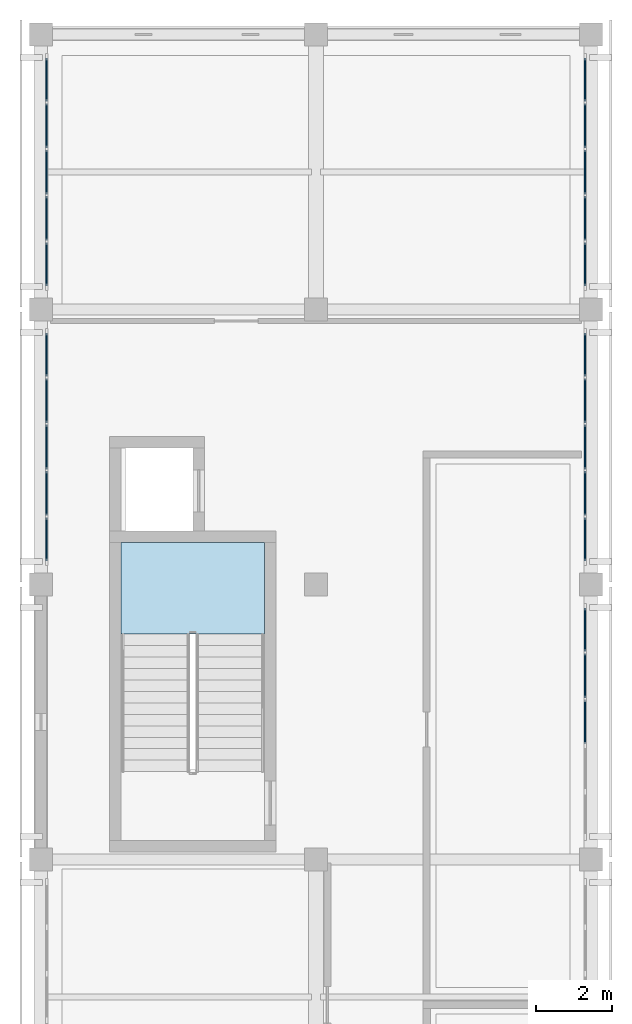
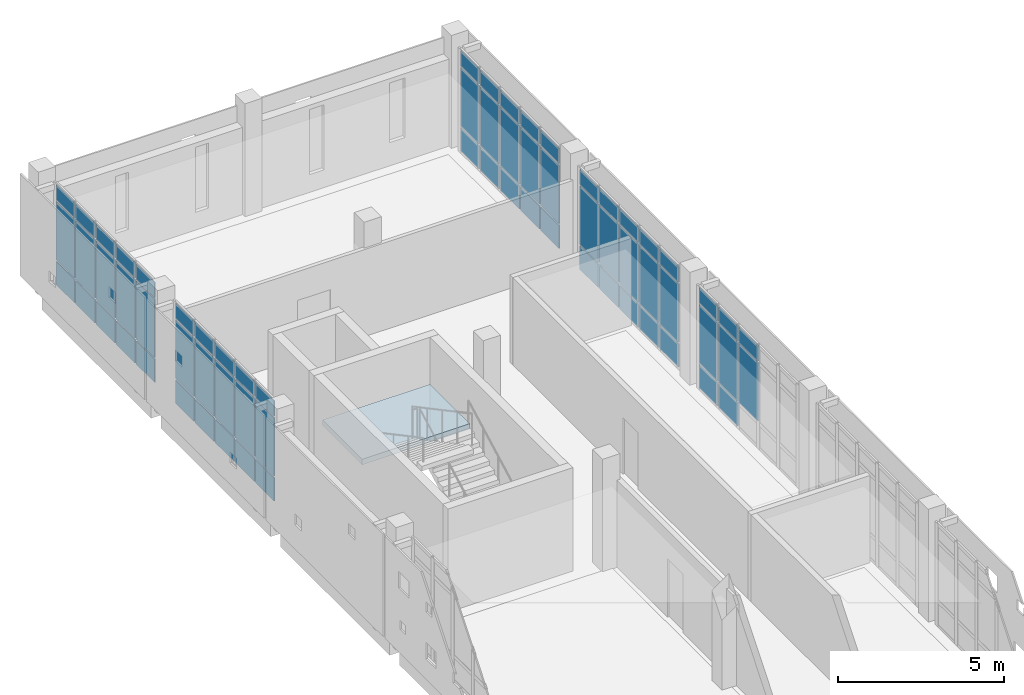
# One storey, part 14 of 21: 68 plates, 1 slab, 6 elements without a shape of their own.
"""IFC4 building model written with IfcOpenShell, lengths in metres."""

from ifc_helpers import new_model, si_unit, direction, frame, origin, origin_2d, place, context, subcontext, project, spatial, polyline, rectangle, outline, extrude, material, layer, layer_set, type_object, element, aggregate, save


model = new_model("IFC4")

# Units and contexts
model_context = context("Model", 3, precision=1e-05, world=origin(), true_north=direction((0.0, 1.0)))
body_context = subcontext(model_context, "Body", "Model", "MODEL_VIEW")
ifc_project = project(units=[si_unit("LENGTHUNIT", "METRE"), si_unit("AREAUNIT", "SQUARE_METRE"), si_unit("VOLUMEUNIT", "CUBIC_METRE"), si_unit("PLANEANGLEUNIT", "RADIAN"), si_unit("MASSUNIT", "GRAM", prefix="KILO")], contexts=[model_context])

# Site, building, storey
site_placement = place(None, origin())
site = spatial("IfcSite", under=ifc_project, at=site_placement, CompositionType="ELEMENT")
building_placement = place(site_placement, origin())
building = spatial("IfcBuilding", under=site, at=building_placement, Name="Valkovuoma Quantum and Materials Research Institute", CompositionType="ELEMENT")
storey_placement = place(building_placement, frame((0.0, 0.0, 33.919921875)))
storey = spatial("IfcBuildingStorey", under=building, at=storey_placement, Name="L08", CompositionType="ELEMENT", Elevation=33.919921875)

# Curtain wall, plates
ifc_material_1 = material(Name="Thermally broken aluminium and triple low-E glazing", Category="aluminium")
ifc_layer_1 = layer(ifc_material_1, 0.219970703125)
ifc_layer_set_1 = layer_set([ifc_layer_1], Name="Thermally broken aluminium and triple low-E glazing")
curtain_wall_type = type_object("IfcCurtainWallType", Name="CW-CW-01", PredefinedType="NOTDEFINED", material=ifc_layer_set_1)
curtain_wall_1_placement = place(storey_placement, origin())
curtain_wall_1 = element("IfcCurtainWall", 1, at=curtain_wall_1_placement, inside=storey, type_object=curtain_wall_type, Name="L08 curtain wall 123", PredefinedType="NOTDEFINED")
ifc_material_2 = material(Name="Triple low-E argon insulating glass", Category="glass")
ifc_layer_2 = layer(ifc_material_2, 0.035888671875)
ifc_layer_set_2 = layer_set([ifc_layer_2], Name="Triple low-E argon insulating glass")
plate_type_1 = type_object("IfcPlateType", Name="CWPanel-CWP-01", PredefinedType="CURTAIN_PANEL", material=ifc_layer_set_2)
plate_1_placement = place(storey_placement, frame((0.14990234375, 80.3818359375, 0.06494140625), z_axis=(0.0, 0.0, 1.0), x_axis=(0.0, 1.0, 0.0)))
plate_1 = element("IfcPlate", 2, at=plate_1_placement, type_object=plate_type_1, Name="CW-01 panel 1.1", PredefinedType="CURTAIN_PANEL", context=body_context, shape_type="SweptSolid", body=[
    extrude(rectangle(XDim=1.11962890625, YDim=0.035888671875, at=origin_2d()), origin(), (0.0, 0.0, 1.0), 0.8525390625),
])
plate_2_placement = place(storey_placement, frame((0.14990234375, 80.3818359375, 0.982666015625), z_axis=(0.0, 0.0, 1.0), x_axis=(0.0, 1.0, 0.0)))
plate_2 = element("IfcPlate", 3, at=plate_2_placement, type_object=plate_type_1, Name="CW-01 panel 1.2", PredefinedType="CURTAIN_PANEL", context=body_context, shape_type="SweptSolid", body=[
    extrude(rectangle(XDim=1.11962890625, YDim=0.035888671875, at=origin_2d()), origin(), (0.0, 0.0, 1.0), 2.14501953125),
])
plate_3_placement = place(storey_placement, frame((0.14990234375, 80.3818359375, 3.1923828125), z_axis=(0.0, 0.0, 1.0), x_axis=(0.0, 1.0, 0.0)))
plate_3 = element("IfcPlate", 4, at=plate_3_placement, type_object=plate_type_1, Name="CW-01 panel 1.3", PredefinedType="CURTAIN_PANEL", context=body_context, shape_type="SweptSolid", body=[
    extrude(rectangle(XDim=1.11962890625, YDim=0.035888671875, at=origin_2d()), origin(), (0.0, 0.0, 1.0), 0.552490234375),
])
plate_4_placement = place(storey_placement, frame((0.14990234375, 81.582763671875, 0.06494140625), z_axis=(0.0, 0.0, 1.0), x_axis=(0.0, 1.0, 0.0)))
plate_4 = element("IfcPlate", 5, at=plate_4_placement, type_object=plate_type_1, Name="CW-01 panel 2.1", PredefinedType="CURTAIN_PANEL", context=body_context, shape_type="SweptSolid", body=[
    extrude(rectangle(XDim=1.152099609375, YDim=0.035888671875, at=origin_2d()), origin(), (0.0, 0.0, 1.0), 0.8525390625),
])
plate_5_placement = place(storey_placement, frame((0.14990234375, 81.582763671875, 0.982666015625), z_axis=(0.0, 0.0, 1.0), x_axis=(0.0, 1.0, 0.0)))
plate_5 = element("IfcPlate", 6, at=plate_5_placement, type_object=plate_type_1, Name="CW-01 panel 2.2", PredefinedType="CURTAIN_PANEL", context=body_context, shape_type="SweptSolid", body=[
    extrude(rectangle(XDim=1.152099609375, YDim=0.035888671875, at=origin_2d()), origin(), (0.0, 0.0, 1.0), 2.14501953125),
])
plate_6_placement = place(storey_placement, frame((0.14990234375, 81.582763671875, 3.1923828125), z_axis=(0.0, 0.0, 1.0), x_axis=(0.0, 1.0, 0.0)))
plate_6 = element("IfcPlate", 7, at=plate_6_placement, type_object=plate_type_1, Name="CW-01 panel 2.3", PredefinedType="CURTAIN_PANEL", context=body_context, shape_type="SweptSolid", body=[
    extrude(rectangle(XDim=1.152099609375, YDim=0.035888671875, at=origin_2d()), origin(), (0.0, 0.0, 1.0), 0.552490234375),
])
plate_7_placement = place(storey_placement, frame((0.14990234375, 82.800048828125, 0.06494140625), z_axis=(0.0, 0.0, 1.0), x_axis=(0.0, 1.0, 0.0)))
plate_7 = element("IfcPlate", 8, at=plate_7_placement, type_object=plate_type_1, Name="CW-01 panel 3.1", PredefinedType="CURTAIN_PANEL", context=body_context, shape_type="SweptSolid", body=[
    extrude(rectangle(XDim=1.152099609375, YDim=0.035888671875, at=origin_2d()), origin(), (0.0, 0.0, 1.0), 0.8525390625),
])
plate_8_placement = place(storey_placement, frame((0.14990234375, 82.800048828125, 0.982666015625), z_axis=(0.0, 0.0, 1.0), x_axis=(0.0, 1.0, 0.0)))
plate_8 = element("IfcPlate", 9, at=plate_8_placement, type_object=plate_type_1, Name="CW-01 panel 3.2", PredefinedType="CURTAIN_PANEL", context=body_context, shape_type="SweptSolid", body=[
    extrude(rectangle(XDim=1.152099609375, YDim=0.035888671875, at=origin_2d()), origin(), (0.0, 0.0, 1.0), 2.14501953125),
])
plate_9_placement = place(storey_placement, frame((0.14990234375, 82.800048828125, 3.1923828125), z_axis=(0.0, 0.0, 1.0), x_axis=(0.0, 1.0, 0.0)))
plate_9 = element("IfcPlate", 10, at=plate_9_placement, type_object=plate_type_1, Name="CW-01 panel 3.3", PredefinedType="CURTAIN_PANEL", context=body_context, shape_type="SweptSolid", body=[
    extrude(rectangle(XDim=1.152099609375, YDim=0.035888671875, at=origin_2d()), origin(), (0.0, 0.0, 1.0), 0.552490234375),
])
plate_10_placement = place(storey_placement, frame((0.14990234375, 84.01708984375, 0.06494140625), z_axis=(0.0, 0.0, 1.0), x_axis=(0.0, 1.0, 0.0)))
plate_10 = element("IfcPlate", 11, at=plate_10_placement, type_object=plate_type_1, Name="CW-01 panel 4.1", PredefinedType="CURTAIN_PANEL", context=body_context, shape_type="SweptSolid", body=[
    extrude(rectangle(XDim=1.152099609375, YDim=0.035888671875, at=origin_2d()), origin(), (0.0, 0.0, 1.0), 0.8525390625),
])
plate_11_placement = place(storey_placement, frame((0.14990234375, 84.01708984375, 0.982666015625), z_axis=(0.0, 0.0, 1.0), x_axis=(0.0, 1.0, 0.0)))
plate_11 = element("IfcPlate", 12, at=plate_11_placement, type_object=plate_type_1, Name="CW-01 panel 4.2", PredefinedType="CURTAIN_PANEL", context=body_context, shape_type="SweptSolid", body=[
    extrude(rectangle(XDim=1.152099609375, YDim=0.035888671875, at=origin_2d()), origin(), (0.0, 0.0, 1.0), 2.14501953125),
])
plate_12_placement = place(storey_placement, frame((0.14990234375, 84.01708984375, 3.1923828125), z_axis=(0.0, 0.0, 1.0), x_axis=(0.0, 1.0, 0.0)))
plate_12 = element("IfcPlate", 13, at=plate_12_placement, type_object=plate_type_1, Name="CW-01 panel 4.3", PredefinedType="CURTAIN_PANEL", context=body_context, shape_type="SweptSolid", body=[
    extrude(rectangle(XDim=1.152099609375, YDim=0.035888671875, at=origin_2d()), origin(), (0.0, 0.0, 1.0), 0.552490234375),
])
plate_13_placement = place(storey_placement, frame((0.14990234375, 85.218017578125, 0.06494140625), z_axis=(0.0, 0.0, 1.0), x_axis=(0.0, 1.0, 0.0)))
plate_13 = element("IfcPlate", 14, at=plate_13_placement, type_object=plate_type_1, Name="CW-01 panel 5.1", PredefinedType="CURTAIN_PANEL", context=body_context, shape_type="SweptSolid", body=[
    extrude(rectangle(XDim=1.11962890625, YDim=0.035888671875, at=origin_2d()), origin(), (0.0, 0.0, 1.0), 0.8525390625),
])
plate_14_placement = place(storey_placement, frame((0.14990234375, 85.218017578125, 0.982666015625), z_axis=(0.0, 0.0, 1.0), x_axis=(0.0, 1.0, 0.0)))
plate_14 = element("IfcPlate", 15, at=plate_14_placement, type_object=plate_type_1, Name="CW-01 panel 5.2", PredefinedType="CURTAIN_PANEL", context=body_context, shape_type="SweptSolid", body=[
    extrude(rectangle(XDim=1.11962890625, YDim=0.035888671875, at=origin_2d()), origin(), (0.0, 0.0, 1.0), 2.14501953125),
])
plate_15_placement = place(storey_placement, frame((0.14990234375, 85.218017578125, 3.1923828125), z_axis=(0.0, 0.0, 1.0), x_axis=(0.0, 1.0, 0.0)))
plate_15 = element("IfcPlate", 16, at=plate_15_placement, type_object=plate_type_1, Name="CW-01 panel 5.3", PredefinedType="CURTAIN_PANEL", context=body_context, shape_type="SweptSolid", body=[
    extrude(rectangle(XDim=1.11962890625, YDim=0.035888671875, at=origin_2d()), origin(), (0.0, 0.0, 1.0), 0.552490234375),
])
aggregate(curtain_wall_1, [plate_1, plate_2, plate_3, plate_4, plate_5, plate_6, plate_7, plate_8, plate_9, plate_10, plate_11, plate_12, plate_13, plate_14, plate_15])

curtain_wall_2_placement = place(storey_placement, origin())
curtain_wall_2 = element("IfcCurtainWall", 17, at=curtain_wall_2_placement, inside=storey, type_object=curtain_wall_type, Name="L08 curtain wall 125", PredefinedType="NOTDEFINED")
plate_16_placement = place(storey_placement, frame((0.14990234375, 87.58203125, 0.06494140625), z_axis=(0.0, 0.0, 1.0), x_axis=(0.0, 1.0, 0.0)))
plate_16 = element("IfcPlate", 18, at=plate_16_placement, type_object=plate_type_1, Name="CW-01 panel 1.1", PredefinedType="CURTAIN_PANEL", context=body_context, shape_type="SweptSolid", body=[
    extrude(rectangle(XDim=1.11962890625, YDim=0.035888671875, at=origin_2d()), origin(), (0.0, 0.0, 1.0), 0.8525390625),
])
plate_17_placement = place(storey_placement, frame((0.14990234375, 87.58203125, 0.982666015625), z_axis=(0.0, 0.0, 1.0), x_axis=(0.0, 1.0, 0.0)))
plate_17 = element("IfcPlate", 19, at=plate_17_placement, type_object=plate_type_1, Name="CW-01 panel 1.2", PredefinedType="CURTAIN_PANEL", context=body_context, shape_type="SweptSolid", body=[
    extrude(rectangle(XDim=1.11962890625, YDim=0.035888671875, at=origin_2d()), origin(), (0.0, 0.0, 1.0), 2.14501953125),
])
plate_18_placement = place(storey_placement, frame((0.14990234375, 87.58203125, 3.1923828125), z_axis=(0.0, 0.0, 1.0), x_axis=(0.0, 1.0, 0.0)))
plate_18 = element("IfcPlate", 20, at=plate_18_placement, type_object=plate_type_1, Name="CW-01 panel 1.3", PredefinedType="CURTAIN_PANEL", context=body_context, shape_type="SweptSolid", body=[
    extrude(rectangle(XDim=1.11962890625, YDim=0.035888671875, at=origin_2d()), origin(), (0.0, 0.0, 1.0), 0.552490234375),
])
plate_19_placement = place(storey_placement, frame((0.14990234375, 88.782958984375, 0.06494140625), z_axis=(0.0, 0.0, 1.0), x_axis=(0.0, 1.0, 0.0)))
plate_19 = element("IfcPlate", 21, at=plate_19_placement, type_object=plate_type_1, Name="CW-01 panel 2.1", PredefinedType="CURTAIN_PANEL", context=body_context, shape_type="SweptSolid", body=[
    extrude(rectangle(XDim=1.152099609375, YDim=0.035888671875, at=origin_2d()), origin(), (0.0, 0.0, 1.0), 0.8525390625),
])
plate_20_placement = place(storey_placement, frame((0.14990234375, 88.782958984375, 0.982666015625), z_axis=(0.0, 0.0, 1.0), x_axis=(0.0, 1.0, 0.0)))
plate_20 = element("IfcPlate", 22, at=plate_20_placement, type_object=plate_type_1, Name="CW-01 panel 2.2", PredefinedType="CURTAIN_PANEL", context=body_context, shape_type="SweptSolid", body=[
    extrude(rectangle(XDim=1.152099609375, YDim=0.035888671875, at=origin_2d()), origin(), (0.0, 0.0, 1.0), 2.14501953125),
])
plate_21_placement = place(storey_placement, frame((0.14990234375, 88.782958984375, 3.1923828125), z_axis=(0.0, 0.0, 1.0), x_axis=(0.0, 1.0, 0.0)))
plate_21 = element("IfcPlate", 23, at=plate_21_placement, type_object=plate_type_1, Name="CW-01 panel 2.3", PredefinedType="CURTAIN_PANEL", context=body_context, shape_type="SweptSolid", body=[
    extrude(rectangle(XDim=1.152099609375, YDim=0.035888671875, at=origin_2d()), origin(), (0.0, 0.0, 1.0), 0.552490234375),
])
plate_22_placement = place(storey_placement, frame((0.14990234375, 90.0, 0.06494140625), z_axis=(0.0, 0.0, 1.0), x_axis=(0.0, 1.0, 0.0)))
plate_22 = element("IfcPlate", 24, at=plate_22_placement, type_object=plate_type_1, Name="CW-01 panel 3.1", PredefinedType="CURTAIN_PANEL", context=body_context, shape_type="SweptSolid", body=[
    extrude(rectangle(XDim=1.152099609375, YDim=0.035888671875, at=origin_2d()), origin(), (0.0, 0.0, 1.0), 0.8525390625),
])
plate_23_placement = place(storey_placement, frame((0.14990234375, 90.0, 0.982666015625), z_axis=(0.0, 0.0, 1.0), x_axis=(0.0, 1.0, 0.0)))
plate_23 = element("IfcPlate", 25, at=plate_23_placement, type_object=plate_type_1, Name="CW-01 panel 3.2", PredefinedType="CURTAIN_PANEL", context=body_context, shape_type="SweptSolid", body=[
    extrude(rectangle(XDim=1.152099609375, YDim=0.035888671875, at=origin_2d()), origin(), (0.0, 0.0, 1.0), 2.14501953125),
])
plate_24_placement = place(storey_placement, frame((0.14990234375, 90.0, 3.1923828125), z_axis=(0.0, 0.0, 1.0), x_axis=(0.0, 1.0, 0.0)))
plate_24 = element("IfcPlate", 26, at=plate_24_placement, type_object=plate_type_1, Name="CW-01 panel 3.3", PredefinedType="CURTAIN_PANEL", context=body_context, shape_type="SweptSolid", body=[
    extrude(rectangle(XDim=1.152099609375, YDim=0.035888671875, at=origin_2d()), origin(), (0.0, 0.0, 1.0), 0.552490234375),
])
plate_25_placement = place(storey_placement, frame((0.14990234375, 91.217041015625, 0.06494140625), z_axis=(0.0, 0.0, 1.0), x_axis=(0.0, 1.0, 0.0)))
plate_25 = element("IfcPlate", 27, at=plate_25_placement, type_object=plate_type_1, Name="CW-01 panel 4.1", PredefinedType="CURTAIN_PANEL", context=body_context, shape_type="SweptSolid", body=[
    extrude(rectangle(XDim=1.152099609375, YDim=0.035888671875, at=origin_2d()), origin(), (0.0, 0.0, 1.0), 0.8525390625),
])
plate_26_placement = place(storey_placement, frame((0.14990234375, 91.217041015625, 0.982666015625), z_axis=(0.0, 0.0, 1.0), x_axis=(0.0, 1.0, 0.0)))
plate_26 = element("IfcPlate", 28, at=plate_26_placement, type_object=plate_type_1, Name="CW-01 panel 4.2", PredefinedType="CURTAIN_PANEL", context=body_context, shape_type="SweptSolid", body=[
    extrude(rectangle(XDim=1.152099609375, YDim=0.035888671875, at=origin_2d()), origin(), (0.0, 0.0, 1.0), 2.14501953125),
])
plate_27_placement = place(storey_placement, frame((0.14990234375, 91.217041015625, 3.1923828125), z_axis=(0.0, 0.0, 1.0), x_axis=(0.0, 1.0, 0.0)))
plate_27 = element("IfcPlate", 29, at=plate_27_placement, type_object=plate_type_1, Name="CW-01 panel 4.3", PredefinedType="CURTAIN_PANEL", context=body_context, shape_type="SweptSolid", body=[
    extrude(rectangle(XDim=1.152099609375, YDim=0.035888671875, at=origin_2d()), origin(), (0.0, 0.0, 1.0), 0.552490234375),
])
plate_28_placement = place(storey_placement, frame((0.14990234375, 92.41796875, 0.06494140625), z_axis=(0.0, 0.0, 1.0), x_axis=(0.0, 1.0, 0.0)))
plate_28 = element("IfcPlate", 30, at=plate_28_placement, type_object=plate_type_1, Name="CW-01 panel 5.1", PredefinedType="CURTAIN_PANEL", context=body_context, shape_type="SweptSolid", body=[
    extrude(rectangle(XDim=1.11962890625, YDim=0.035888671875, at=origin_2d()), origin(), (0.0, 0.0, 1.0), 0.8525390625),
])
plate_29_placement = place(storey_placement, frame((0.14990234375, 92.41796875, 0.982666015625), z_axis=(0.0, 0.0, 1.0), x_axis=(0.0, 1.0, 0.0)))
plate_29 = element("IfcPlate", 31, at=plate_29_placement, type_object=plate_type_1, Name="CW-01 panel 5.2", PredefinedType="CURTAIN_PANEL", context=body_context, shape_type="SweptSolid", body=[
    extrude(rectangle(XDim=1.11962890625, YDim=0.035888671875, at=origin_2d()), origin(), (0.0, 0.0, 1.0), 2.14501953125),
])
plate_30_placement = place(storey_placement, frame((0.14990234375, 92.41796875, 3.1923828125), z_axis=(0.0, 0.0, 1.0), x_axis=(0.0, 1.0, 0.0)))
plate_30 = element("IfcPlate", 32, at=plate_30_placement, type_object=plate_type_1, Name="CW-01 panel 5.3", PredefinedType="CURTAIN_PANEL", context=body_context, shape_type="SweptSolid", body=[
    extrude(rectangle(XDim=1.11962890625, YDim=0.035888671875, at=origin_2d()), origin(), (0.0, 0.0, 1.0), 0.552490234375),
])
aggregate(curtain_wall_2, [plate_16, plate_17, plate_18, plate_19, plate_20, plate_21, plate_22, plate_23, plate_24, plate_25, plate_26, plate_27, plate_28, plate_29, plate_30])

curtain_wall_3_placement = place(storey_placement, origin())
curtain_wall_3 = element("IfcCurtainWall", 33, at=curtain_wall_3_placement, inside=storey, type_object=curtain_wall_type, Name="L08 curtain wall 122", PredefinedType="NOTDEFINED")
ifc_material_3 = material(Name="Triple low-E argon insulating glass", Category="glass")
ifc_layer_3 = layer(ifc_material_3, 0.0419921875)
ifc_layer_set_3 = layer_set([ifc_layer_3], Name="Triple low-E argon insulating glass")
plate_type_2 = type_object("IfcPlateType", Name="CWPanel-CWP-02", PredefinedType="CURTAIN_PANEL", material=ifc_layer_set_3)
plate_31_placement = place(storey_placement, frame((14.25, 75.60009765625, 0.982666015625), z_axis=(0.0, 0.0, 1.0), x_axis=(0.0, 1.0, 0.0)))
plate_31 = element("IfcPlate", 34, at=plate_31_placement, type_object=plate_type_2, Name="CW-01 panel 3.2", PredefinedType="CURTAIN_PANEL", context=body_context, shape_type="SweptSolid", body=[
    extrude(rectangle(XDim=1.152099609375, YDim=0.0419921875, at=origin_2d()), origin(), (0.0, 0.0, 1.0), 2.14501953125),
])
plate_32_placement = place(storey_placement, frame((14.25, 75.60009765625, 3.1923828125), z_axis=(0.0, 0.0, 1.0), x_axis=(0.0, 1.0, 0.0)))
plate_32 = element("IfcPlate", 35, at=plate_32_placement, type_object=plate_type_2, Name="CW-01 panel 3.3", PredefinedType="CURTAIN_PANEL", context=body_context, shape_type="SweptSolid", body=[
    extrude(rectangle(XDim=1.152099609375, YDim=0.0419921875, at=origin_2d()), origin(), (0.0, 0.0, 1.0), 0.552490234375),
])
plate_33_placement = place(storey_placement, frame((14.25, 76.817138671875, 0.06494140625), z_axis=(0.0, 0.0, 1.0), x_axis=(0.0, 1.0, 0.0)))
plate_33 = element("IfcPlate", 36, at=plate_33_placement, type_object=plate_type_2, Name="CW-01 panel 4.1", PredefinedType="CURTAIN_PANEL", context=body_context, shape_type="SweptSolid", body=[
    extrude(rectangle(XDim=1.152099609375, YDim=0.0419921875, at=origin_2d()), origin(), (0.0, 0.0, 1.0), 0.8525390625),
])
plate_34_placement = place(storey_placement, frame((14.25, 76.817138671875, 0.982666015625), z_axis=(0.0, 0.0, 1.0), x_axis=(0.0, 1.0, 0.0)))
plate_34 = element("IfcPlate", 37, at=plate_34_placement, type_object=plate_type_2, Name="CW-01 panel 4.2", PredefinedType="CURTAIN_PANEL", context=body_context, shape_type="SweptSolid", body=[
    extrude(rectangle(XDim=1.152099609375, YDim=0.0419921875, at=origin_2d()), origin(), (0.0, 0.0, 1.0), 2.14501953125),
])
plate_35_placement = place(storey_placement, frame((14.25, 76.817138671875, 3.1923828125), z_axis=(0.0, 0.0, 1.0), x_axis=(0.0, 1.0, 0.0)))
plate_35 = element("IfcPlate", 38, at=plate_35_placement, type_object=plate_type_2, Name="CW-01 panel 4.3", PredefinedType="CURTAIN_PANEL", context=body_context, shape_type="SweptSolid", body=[
    extrude(rectangle(XDim=1.152099609375, YDim=0.0419921875, at=origin_2d()), origin(), (0.0, 0.0, 1.0), 0.552490234375),
])
plate_36_placement = place(storey_placement, frame((14.25, 78.01806640625, 0.06494140625), z_axis=(0.0, 0.0, 1.0), x_axis=(0.0, 1.0, 0.0)))
plate_36 = element("IfcPlate", 39, at=plate_36_placement, type_object=plate_type_2, Name="CW-01 panel 5.1", PredefinedType="CURTAIN_PANEL", context=body_context, shape_type="SweptSolid", body=[
    extrude(rectangle(XDim=1.11962890625, YDim=0.0419921875, at=origin_2d()), origin(), (0.0, 0.0, 1.0), 0.8525390625),
])
plate_37_placement = place(storey_placement, frame((14.25, 78.01806640625, 0.982666015625), z_axis=(0.0, 0.0, 1.0), x_axis=(0.0, 1.0, 0.0)))
plate_37 = element("IfcPlate", 40, at=plate_37_placement, type_object=plate_type_2, Name="CW-01 panel 5.2", PredefinedType="CURTAIN_PANEL", context=body_context, shape_type="SweptSolid", body=[
    extrude(rectangle(XDim=1.11962890625, YDim=0.0419921875, at=origin_2d()), origin(), (0.0, 0.0, 1.0), 2.14501953125),
])
plate_38_placement = place(storey_placement, frame((14.25, 78.01806640625, 3.1923828125), z_axis=(0.0, 0.0, 1.0), x_axis=(0.0, 1.0, 0.0)))
plate_38 = element("IfcPlate", 41, at=plate_38_placement, type_object=plate_type_2, Name="CW-01 panel 5.3", PredefinedType="CURTAIN_PANEL", context=body_context, shape_type="SweptSolid", body=[
    extrude(rectangle(XDim=1.11962890625, YDim=0.0419921875, at=origin_2d()), origin(), (0.0, 0.0, 1.0), 0.552490234375),
])
aggregate(curtain_wall_3, [plate_31, plate_32, plate_33, plate_34, plate_35, plate_36, plate_37, plate_38])

curtain_wall_4_placement = place(storey_placement, origin())
curtain_wall_4 = element("IfcCurtainWall", 42, at=curtain_wall_4_placement, inside=storey, type_object=curtain_wall_type, Name="L08 curtain wall 124", PredefinedType="NOTDEFINED")
plate_39_placement = place(storey_placement, frame((14.25, 80.3818359375, 0.06494140625), z_axis=(0.0, 0.0, 1.0), x_axis=(0.0, 1.0, 0.0)))
plate_39 = element("IfcPlate", 43, at=plate_39_placement, type_object=plate_type_2, Name="CW-01 panel 1.1", PredefinedType="CURTAIN_PANEL", context=body_context, shape_type="SweptSolid", body=[
    extrude(rectangle(XDim=1.11962890625, YDim=0.0419921875, at=origin_2d()), origin(), (0.0, 0.0, 1.0), 0.8525390625),
])
plate_40_placement = place(storey_placement, frame((14.25, 80.3818359375, 0.982666015625), z_axis=(0.0, 0.0, 1.0), x_axis=(0.0, 1.0, 0.0)))
plate_40 = element("IfcPlate", 44, at=plate_40_placement, type_object=plate_type_2, Name="CW-01 panel 1.2", PredefinedType="CURTAIN_PANEL", context=body_context, shape_type="SweptSolid", body=[
    extrude(rectangle(XDim=1.11962890625, YDim=0.0419921875, at=origin_2d()), origin(), (0.0, 0.0, 1.0), 2.14501953125),
])
plate_41_placement = place(storey_placement, frame((14.25, 80.3818359375, 3.1923828125), z_axis=(0.0, 0.0, 1.0), x_axis=(0.0, 1.0, 0.0)))
plate_41 = element("IfcPlate", 45, at=plate_41_placement, type_object=plate_type_2, Name="CW-01 panel 1.3", PredefinedType="CURTAIN_PANEL", context=body_context, shape_type="SweptSolid", body=[
    extrude(rectangle(XDim=1.11962890625, YDim=0.0419921875, at=origin_2d()), origin(), (0.0, 0.0, 1.0), 0.552490234375),
])
plate_42_placement = place(storey_placement, frame((14.25, 81.582763671875, 0.06494140625), z_axis=(0.0, 0.0, 1.0), x_axis=(0.0, 1.0, 0.0)))
plate_42 = element("IfcPlate", 46, at=plate_42_placement, type_object=plate_type_2, Name="CW-01 panel 2.1", PredefinedType="CURTAIN_PANEL", context=body_context, shape_type="SweptSolid", body=[
    extrude(rectangle(XDim=1.152099609375, YDim=0.0419921875, at=origin_2d()), origin(), (0.0, 0.0, 1.0), 0.8525390625),
])
plate_43_placement = place(storey_placement, frame((14.25, 81.582763671875, 0.982666015625), z_axis=(0.0, 0.0, 1.0), x_axis=(0.0, 1.0, 0.0)))
plate_43 = element("IfcPlate", 47, at=plate_43_placement, type_object=plate_type_2, Name="CW-01 panel 2.2", PredefinedType="CURTAIN_PANEL", context=body_context, shape_type="SweptSolid", body=[
    extrude(rectangle(XDim=1.152099609375, YDim=0.0419921875, at=origin_2d()), origin(), (0.0, 0.0, 1.0), 2.14501953125),
])
plate_44_placement = place(storey_placement, frame((14.25, 81.582763671875, 3.1923828125), z_axis=(0.0, 0.0, 1.0), x_axis=(0.0, 1.0, 0.0)))
plate_44 = element("IfcPlate", 48, at=plate_44_placement, type_object=plate_type_2, Name="CW-01 panel 2.3", PredefinedType="CURTAIN_PANEL", context=body_context, shape_type="SweptSolid", body=[
    extrude(rectangle(XDim=1.152099609375, YDim=0.0419921875, at=origin_2d()), origin(), (0.0, 0.0, 1.0), 0.552490234375),
])
plate_45_placement = place(storey_placement, frame((14.25, 82.800048828125, 0.06494140625), z_axis=(0.0, 0.0, 1.0), x_axis=(0.0, 1.0, 0.0)))
plate_45 = element("IfcPlate", 49, at=plate_45_placement, type_object=plate_type_2, Name="CW-01 panel 3.1", PredefinedType="CURTAIN_PANEL", context=body_context, shape_type="SweptSolid", body=[
    extrude(rectangle(XDim=1.152099609375, YDim=0.0419921875, at=origin_2d()), origin(), (0.0, 0.0, 1.0), 0.8525390625),
])
plate_46_placement = place(storey_placement, frame((14.25, 82.800048828125, 0.982666015625), z_axis=(0.0, 0.0, 1.0), x_axis=(0.0, 1.0, 0.0)))
plate_46 = element("IfcPlate", 50, at=plate_46_placement, type_object=plate_type_2, Name="CW-01 panel 3.2", PredefinedType="CURTAIN_PANEL", context=body_context, shape_type="SweptSolid", body=[
    extrude(rectangle(XDim=1.152099609375, YDim=0.0419921875, at=origin_2d()), origin(), (0.0, 0.0, 1.0), 2.14501953125),
])
plate_47_placement = place(storey_placement, frame((14.25, 82.800048828125, 3.1923828125), z_axis=(0.0, 0.0, 1.0), x_axis=(0.0, 1.0, 0.0)))
plate_47 = element("IfcPlate", 51, at=plate_47_placement, type_object=plate_type_2, Name="CW-01 panel 3.3", PredefinedType="CURTAIN_PANEL", context=body_context, shape_type="SweptSolid", body=[
    extrude(rectangle(XDim=1.152099609375, YDim=0.0419921875, at=origin_2d()), origin(), (0.0, 0.0, 1.0), 0.552490234375),
])
plate_48_placement = place(storey_placement, frame((14.25, 84.01708984375, 0.06494140625), z_axis=(0.0, 0.0, 1.0), x_axis=(0.0, 1.0, 0.0)))
plate_48 = element("IfcPlate", 52, at=plate_48_placement, type_object=plate_type_2, Name="CW-01 panel 4.1", PredefinedType="CURTAIN_PANEL", context=body_context, shape_type="SweptSolid", body=[
    extrude(rectangle(XDim=1.152099609375, YDim=0.0419921875, at=origin_2d()), origin(), (0.0, 0.0, 1.0), 0.8525390625),
])
plate_49_placement = place(storey_placement, frame((14.25, 84.01708984375, 0.982666015625), z_axis=(0.0, 0.0, 1.0), x_axis=(0.0, 1.0, 0.0)))
plate_49 = element("IfcPlate", 53, at=plate_49_placement, type_object=plate_type_2, Name="CW-01 panel 4.2", PredefinedType="CURTAIN_PANEL", context=body_context, shape_type="SweptSolid", body=[
    extrude(rectangle(XDim=1.152099609375, YDim=0.0419921875, at=origin_2d()), origin(), (0.0, 0.0, 1.0), 2.14501953125),
])
plate_50_placement = place(storey_placement, frame((14.25, 84.01708984375, 3.1923828125), z_axis=(0.0, 0.0, 1.0), x_axis=(0.0, 1.0, 0.0)))
plate_50 = element("IfcPlate", 54, at=plate_50_placement, type_object=plate_type_2, Name="CW-01 panel 4.3", PredefinedType="CURTAIN_PANEL", context=body_context, shape_type="SweptSolid", body=[
    extrude(rectangle(XDim=1.152099609375, YDim=0.0419921875, at=origin_2d()), origin(), (0.0, 0.0, 1.0), 0.552490234375),
])
plate_51_placement = place(storey_placement, frame((14.25, 85.218017578125, 0.06494140625), z_axis=(0.0, 0.0, 1.0), x_axis=(0.0, 1.0, 0.0)))
plate_51 = element("IfcPlate", 55, at=plate_51_placement, type_object=plate_type_2, Name="CW-01 panel 5.1", PredefinedType="CURTAIN_PANEL", context=body_context, shape_type="SweptSolid", body=[
    extrude(rectangle(XDim=1.11962890625, YDim=0.0419921875, at=origin_2d()), origin(), (0.0, 0.0, 1.0), 0.8525390625),
])
plate_52_placement = place(storey_placement, frame((14.25, 85.218017578125, 0.982666015625), z_axis=(0.0, 0.0, 1.0), x_axis=(0.0, 1.0, 0.0)))
plate_52 = element("IfcPlate", 56, at=plate_52_placement, type_object=plate_type_2, Name="CW-01 panel 5.2", PredefinedType="CURTAIN_PANEL", context=body_context, shape_type="SweptSolid", body=[
    extrude(rectangle(XDim=1.11962890625, YDim=0.0419921875, at=origin_2d()), origin(), (0.0, 0.0, 1.0), 2.14501953125),
])
plate_53_placement = place(storey_placement, frame((14.25, 85.218017578125, 3.1923828125), z_axis=(0.0, 0.0, 1.0), x_axis=(0.0, 1.0, 0.0)))
plate_53 = element("IfcPlate", 57, at=plate_53_placement, type_object=plate_type_2, Name="CW-01 panel 5.3", PredefinedType="CURTAIN_PANEL", context=body_context, shape_type="SweptSolid", body=[
    extrude(rectangle(XDim=1.11962890625, YDim=0.0419921875, at=origin_2d()), origin(), (0.0, 0.0, 1.0), 0.552490234375),
])
aggregate(curtain_wall_4, [plate_39, plate_40, plate_41, plate_42, plate_43, plate_44, plate_45, plate_46, plate_47, plate_48, plate_49, plate_50, plate_51, plate_52, plate_53])

curtain_wall_5_placement = place(storey_placement, origin())
curtain_wall_5 = element("IfcCurtainWall", 58, at=curtain_wall_5_placement, inside=storey, type_object=curtain_wall_type, Name="L08 curtain wall 126", PredefinedType="NOTDEFINED")
plate_54_placement = place(storey_placement, frame((14.25, 87.58203125, 0.06494140625), z_axis=(0.0, 0.0, 1.0), x_axis=(0.0, 1.0, 0.0)))
plate_54 = element("IfcPlate", 59, at=plate_54_placement, type_object=plate_type_2, Name="CW-01 panel 1.1", PredefinedType="CURTAIN_PANEL", context=body_context, shape_type="SweptSolid", body=[
    extrude(rectangle(XDim=1.11962890625, YDim=0.0419921875, at=origin_2d()), origin(), (0.0, 0.0, 1.0), 0.8525390625),
])
plate_55_placement = place(storey_placement, frame((14.25, 87.58203125, 0.982666015625), z_axis=(0.0, 0.0, 1.0), x_axis=(0.0, 1.0, 0.0)))
plate_55 = element("IfcPlate", 60, at=plate_55_placement, type_object=plate_type_2, Name="CW-01 panel 1.2", PredefinedType="CURTAIN_PANEL", context=body_context, shape_type="SweptSolid", body=[
    extrude(rectangle(XDim=1.11962890625, YDim=0.0419921875, at=origin_2d()), origin(), (0.0, 0.0, 1.0), 2.14501953125),
])
plate_56_placement = place(storey_placement, frame((14.25, 87.58203125, 3.1923828125), z_axis=(0.0, 0.0, 1.0), x_axis=(0.0, 1.0, 0.0)))
plate_56 = element("IfcPlate", 61, at=plate_56_placement, type_object=plate_type_2, Name="CW-01 panel 1.3", PredefinedType="CURTAIN_PANEL", context=body_context, shape_type="SweptSolid", body=[
    extrude(rectangle(XDim=1.11962890625, YDim=0.0419921875, at=origin_2d()), origin(), (0.0, 0.0, 1.0), 0.552490234375),
])
plate_57_placement = place(storey_placement, frame((14.25, 88.782958984375, 0.06494140625), z_axis=(0.0, 0.0, 1.0), x_axis=(0.0, 1.0, 0.0)))
plate_57 = element("IfcPlate", 62, at=plate_57_placement, type_object=plate_type_2, Name="CW-01 panel 2.1", PredefinedType="CURTAIN_PANEL", context=body_context, shape_type="SweptSolid", body=[
    extrude(rectangle(XDim=1.152099609375, YDim=0.0419921875, at=origin_2d()), origin(), (0.0, 0.0, 1.0), 0.8525390625),
])
plate_58_placement = place(storey_placement, frame((14.25, 88.782958984375, 0.982666015625), z_axis=(0.0, 0.0, 1.0), x_axis=(0.0, 1.0, 0.0)))
plate_58 = element("IfcPlate", 63, at=plate_58_placement, type_object=plate_type_2, Name="CW-01 panel 2.2", PredefinedType="CURTAIN_PANEL", context=body_context, shape_type="SweptSolid", body=[
    extrude(rectangle(XDim=1.152099609375, YDim=0.0419921875, at=origin_2d()), origin(), (0.0, 0.0, 1.0), 2.14501953125),
])
plate_59_placement = place(storey_placement, frame((14.25, 88.782958984375, 3.1923828125), z_axis=(0.0, 0.0, 1.0), x_axis=(0.0, 1.0, 0.0)))
plate_59 = element("IfcPlate", 64, at=plate_59_placement, type_object=plate_type_2, Name="CW-01 panel 2.3", PredefinedType="CURTAIN_PANEL", context=body_context, shape_type="SweptSolid", body=[
    extrude(rectangle(XDim=1.152099609375, YDim=0.0419921875, at=origin_2d()), origin(), (0.0, 0.0, 1.0), 0.552490234375),
])
plate_60_placement = place(storey_placement, frame((14.25, 90.0, 0.06494140625), z_axis=(0.0, 0.0, 1.0), x_axis=(0.0, 1.0, 0.0)))
plate_60 = element("IfcPlate", 65, at=plate_60_placement, type_object=plate_type_2, Name="CW-01 panel 3.1", PredefinedType="CURTAIN_PANEL", context=body_context, shape_type="SweptSolid", body=[
    extrude(rectangle(XDim=1.152099609375, YDim=0.0419921875, at=origin_2d()), origin(), (0.0, 0.0, 1.0), 0.8525390625),
])
plate_61_placement = place(storey_placement, frame((14.25, 90.0, 0.982666015625), z_axis=(0.0, 0.0, 1.0), x_axis=(0.0, 1.0, 0.0)))
plate_61 = element("IfcPlate", 66, at=plate_61_placement, type_object=plate_type_2, Name="CW-01 panel 3.2", PredefinedType="CURTAIN_PANEL", context=body_context, shape_type="SweptSolid", body=[
    extrude(rectangle(XDim=1.152099609375, YDim=0.0419921875, at=origin_2d()), origin(), (0.0, 0.0, 1.0), 2.14501953125),
])
plate_62_placement = place(storey_placement, frame((14.25, 90.0, 3.1923828125), z_axis=(0.0, 0.0, 1.0), x_axis=(0.0, 1.0, 0.0)))
plate_62 = element("IfcPlate", 67, at=plate_62_placement, type_object=plate_type_2, Name="CW-01 panel 3.3", PredefinedType="CURTAIN_PANEL", context=body_context, shape_type="SweptSolid", body=[
    extrude(rectangle(XDim=1.152099609375, YDim=0.0419921875, at=origin_2d()), origin(), (0.0, 0.0, 1.0), 0.552490234375),
])
plate_63_placement = place(storey_placement, frame((14.25, 91.217041015625, 0.06494140625), z_axis=(0.0, 0.0, 1.0), x_axis=(0.0, 1.0, 0.0)))
plate_63 = element("IfcPlate", 68, at=plate_63_placement, type_object=plate_type_2, Name="CW-01 panel 4.1", PredefinedType="CURTAIN_PANEL", context=body_context, shape_type="SweptSolid", body=[
    extrude(rectangle(XDim=1.152099609375, YDim=0.0419921875, at=origin_2d()), origin(), (0.0, 0.0, 1.0), 0.8525390625),
])
plate_64_placement = place(storey_placement, frame((14.25, 91.217041015625, 0.982666015625), z_axis=(0.0, 0.0, 1.0), x_axis=(0.0, 1.0, 0.0)))
plate_64 = element("IfcPlate", 69, at=plate_64_placement, type_object=plate_type_2, Name="CW-01 panel 4.2", PredefinedType="CURTAIN_PANEL", context=body_context, shape_type="SweptSolid", body=[
    extrude(rectangle(XDim=1.152099609375, YDim=0.0419921875, at=origin_2d()), origin(), (0.0, 0.0, 1.0), 2.14501953125),
])
plate_65_placement = place(storey_placement, frame((14.25, 91.217041015625, 3.1923828125), z_axis=(0.0, 0.0, 1.0), x_axis=(0.0, 1.0, 0.0)))
plate_65 = element("IfcPlate", 70, at=plate_65_placement, type_object=plate_type_2, Name="CW-01 panel 4.3", PredefinedType="CURTAIN_PANEL", context=body_context, shape_type="SweptSolid", body=[
    extrude(rectangle(XDim=1.152099609375, YDim=0.0419921875, at=origin_2d()), origin(), (0.0, 0.0, 1.0), 0.552490234375),
])
plate_66_placement = place(storey_placement, frame((14.25, 92.41796875, 0.06494140625), z_axis=(0.0, 0.0, 1.0), x_axis=(0.0, 1.0, 0.0)))
plate_66 = element("IfcPlate", 71, at=plate_66_placement, type_object=plate_type_2, Name="CW-01 panel 5.1", PredefinedType="CURTAIN_PANEL", context=body_context, shape_type="SweptSolid", body=[
    extrude(rectangle(XDim=1.11962890625, YDim=0.0419921875, at=origin_2d()), origin(), (0.0, 0.0, 1.0), 0.8525390625),
])
plate_67_placement = place(storey_placement, frame((14.25, 92.41796875, 0.982666015625), z_axis=(0.0, 0.0, 1.0), x_axis=(0.0, 1.0, 0.0)))
plate_67 = element("IfcPlate", 72, at=plate_67_placement, type_object=plate_type_2, Name="CW-01 panel 5.2", PredefinedType="CURTAIN_PANEL", context=body_context, shape_type="SweptSolid", body=[
    extrude(rectangle(XDim=1.11962890625, YDim=0.0419921875, at=origin_2d()), origin(), (0.0, 0.0, 1.0), 2.14501953125),
])
plate_68_placement = place(storey_placement, frame((14.25, 92.41796875, 3.1923828125), z_axis=(0.0, 0.0, 1.0), x_axis=(0.0, 1.0, 0.0)))
plate_68 = element("IfcPlate", 73, at=plate_68_placement, type_object=plate_type_2, Name="CW-01 panel 5.3", PredefinedType="CURTAIN_PANEL", context=body_context, shape_type="SweptSolid", body=[
    extrude(rectangle(XDim=1.11962890625, YDim=0.0419921875, at=origin_2d()), origin(), (0.0, 0.0, 1.0), 0.552490234375),
])
aggregate(curtain_wall_5, [plate_54, plate_55, plate_56, plate_57, plate_58, plate_59, plate_60, plate_61, plate_62, plate_63, plate_64, plate_65, plate_66, plate_67, plate_68])

# Stair, slab
ifc_material_4 = material(Name="Concrete C40/50", Category="concrete")
stair_type = type_object("IfcStairType", Name="Stair-ST-COR", PredefinedType="HALF_TURN_STAIR", material=ifc_material_4)
stair_placement = place(storey_placement, origin())
stair = element("IfcStair", 74, at=stair_placement, inside=storey, type_object=stair_type, Name="L08 Exit Stair ST-2", PredefinedType="HALF_TURN_STAIR")
ifc_material_5 = material(Name="Concrete C40/50", Category="concrete")
ifc_layer_4 = layer(ifc_material_5, 0.199951171875)
ifc_layer_set_4 = layer_set([ifc_layer_4], Name="Concrete C40/50")
slab_type = type_object("IfcSlabType", Name="Slab-SL-LND200", PredefinedType="LANDING", material=ifc_layer_set_4)
slab_placement = place(storey_placement, frame((0.0, 0.0, 1.880126953125)))
slab = element("IfcSlab", 75, at=slab_placement, type_object=slab_type, Name="ST-2 landing 1", PredefinedType="LANDING", context=body_context, shape_type="SweptSolid", body=[
    extrude(outline(polyline([(5.85009765625, 77.89990234375), (5.85009765625, 80.300048828125), (2.10009765625, 80.300048828125), (2.10009765625, 77.89990234375), (5.85009765625, 77.89990234375)])), origin(), (0.0, 0.0, 1.0), 0.199951171875),
])
aggregate(stair, [slab])

save(model, "model.ifc")
